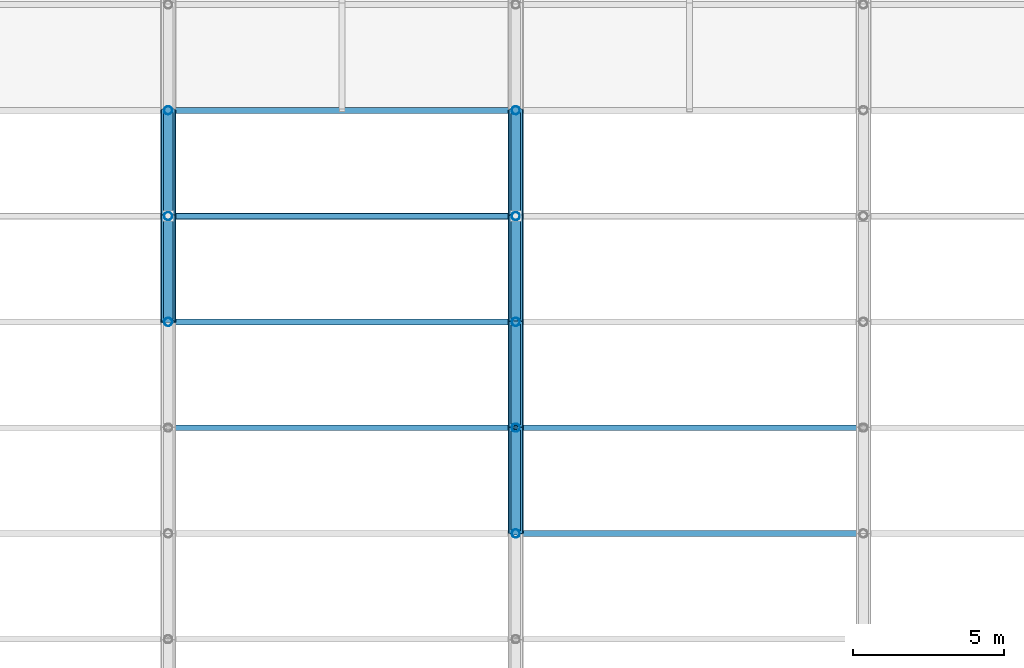
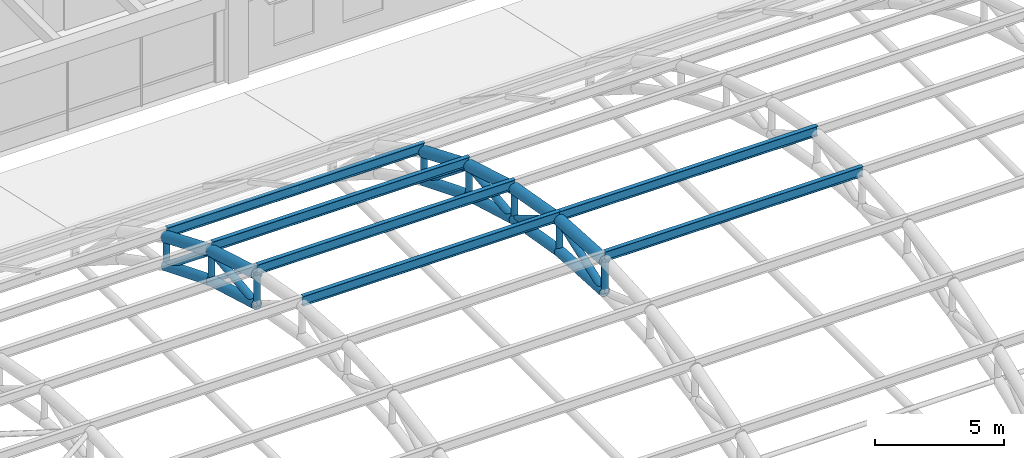
# One storey, part 24 of 154: 33 members.
"""IFC4 building model written with IfcOpenShell, lengths in metres."""

from ifc_helpers import new_model, si_unit, direction, frame, origin, origin_2d, place, context, subcontext, project, spatial, hollow_circle, i_section, extrude, material, material_profile, profile_set, type_object, element, save


model = new_model("IFC4")

# Units and contexts
model_context = context("Model", 3, precision=1e-05, world=origin(), true_north=direction((0.0, 1.0)))
body_context = subcontext(model_context, "Body", "Model", "MODEL_VIEW")
ifc_project = project(units=[si_unit("LENGTHUNIT", "METRE"), si_unit("AREAUNIT", "SQUARE_METRE"), si_unit("VOLUMEUNIT", "CUBIC_METRE"), si_unit("PLANEANGLEUNIT", "RADIAN"), si_unit("MASSUNIT", "GRAM", prefix="KILO")], contexts=[model_context])

# Site, building, storey
site_placement = place(None, origin())
site = spatial("IfcSite", under=ifc_project, at=site_placement, CompositionType="ELEMENT")
building_placement = place(site_placement, origin())
building = spatial("IfcBuilding", under=site, at=building_placement, Name="Ologun Quay Terminus", CompositionType="ELEMENT")
storey_placement = place(building_placement, frame((0.0, 0.0, 13.800048828125)))
storey = spatial("IfcBuildingStorey", under=building, at=storey_placement, Name="L03", CompositionType="ELEMENT", Elevation=13.800048828125)

# Members
ifc_material_1 = material(Name="Steel S355", Category="steel")
ifc_material_profile_1 = material_profile(ifc_material_1, hollow_circle(Radius=0.136474609375, WallThickness=0.010009765625, at=origin_2d()), Name="CHS 273x10")
ifc_profile_set_1 = profile_set([ifc_material_profile_1], Name="Steel S355")
member_type_1 = type_object("IfcMemberType", Name="Arch Truss Vertical Post CHS273", PredefinedType="STRUT", material=ifc_profile_set_1)
member_1_placement = place(storey_placement, frame((34.5, 64.0, 6.435546875), z_axis=(0.0, 0.0, 1.0), x_axis=(1.0, 0.0, 0.0)))
element("IfcMember", 1, at=member_1_placement, inside=storey, type_object=member_type_1, Name="AW2 Arch Web Post 4-N8", PredefinedType="STRUT", context=body_context, shape_type="SweptSolid", body=[
    extrude(hollow_circle(Radius=0.136474609375, WallThickness=0.010009765625, at=origin_2d()), origin(), (0.0, 0.0, 1.0), 1.44873046875),
])
member_2_placement = place(storey_placement, frame((34.5, 67.5, 5.429931640625), z_axis=(0.0, 0.0, 1.0), x_axis=(1.0, 0.0, 0.0)))
element("IfcMember", 2, at=member_2_placement, inside=storey, type_object=member_type_1, Name="AW2 Arch Web Post 4-N9", PredefinedType="STRUT", context=body_context, shape_type="SweptSolid", body=[
    extrude(hollow_circle(Radius=0.136474609375, WallThickness=0.010009765625, at=origin_2d()), origin(), (0.0, 0.0, 1.0), 1.409912109375),
])
member_3_placement = place(storey_placement, frame((34.5, 71.0, 4.022216796875), z_axis=(0.0, 0.0, 1.0), x_axis=(1.0, 0.0, 0.0)))
element("IfcMember", 3, at=member_3_placement, inside=storey, type_object=member_type_1, Name="AW2 Arch Web Post 4-N10", PredefinedType="STRUT", context=body_context, shape_type="SweptSolid", body=[
    extrude(hollow_circle(Radius=0.136474609375, WallThickness=0.010009765625, at=origin_2d()), origin(), (0.0, 0.0, 1.0), 1.35546875),
])
member_4_placement = place(storey_placement, frame((46.0, 57.0, 7.239990234375), z_axis=(0.0, 0.0, 1.0), x_axis=(1.0, 0.0, 0.0)))
element("IfcMember", 4, at=member_4_placement, inside=storey, type_object=member_type_1, Name="AW2 Arch Web Post 5-N6", PredefinedType="STRUT", context=body_context, shape_type="SweptSolid", body=[
    extrude(hollow_circle(Radius=0.136474609375, WallThickness=0.010009765625, at=origin_2d()), origin(), (0.0, 0.0, 1.0), 1.47998046875),
])
member_5_placement = place(storey_placement, frame((46.0, 60.5, 7.038818359375), z_axis=(0.0, 0.0, 1.0), x_axis=(1.0, 0.0, 0.0)))
element("IfcMember", 5, at=member_5_placement, inside=storey, type_object=member_type_1, Name="AW2 Arch Web Post 5-N7", PredefinedType="STRUT", context=body_context, shape_type="SweptSolid", body=[
    extrude(hollow_circle(Radius=0.136474609375, WallThickness=0.010009765625, at=origin_2d()), origin(), (0.0, 0.0, 1.0), 1.47216796875),
])
member_6_placement = place(storey_placement, frame((46.0, 64.0, 6.435546875), z_axis=(0.0, 0.0, 1.0), x_axis=(1.0, 0.0, 0.0)))
element("IfcMember", 6, at=member_6_placement, inside=storey, type_object=member_type_1, Name="AW2 Arch Web Post 5-N8", PredefinedType="STRUT", context=body_context, shape_type="SweptSolid", body=[
    extrude(hollow_circle(Radius=0.136474609375, WallThickness=0.010009765625, at=origin_2d()), origin(), (0.0, 0.0, 1.0), 1.44873046875),
])
member_7_placement = place(storey_placement, frame((46.0, 67.5, 5.429931640625), z_axis=(0.0, 0.0, 1.0), x_axis=(1.0, 0.0, 0.0)))
element("IfcMember", 7, at=member_7_placement, inside=storey, type_object=member_type_1, Name="AW2 Arch Web Post 5-N9", PredefinedType="STRUT", context=body_context, shape_type="SweptSolid", body=[
    extrude(hollow_circle(Radius=0.136474609375, WallThickness=0.010009765625, at=origin_2d()), origin(), (0.0, 0.0, 1.0), 1.409912109375),
])
member_8_placement = place(storey_placement, frame((46.0, 71.0, 4.022216796875), z_axis=(0.0, 0.0, 1.0), x_axis=(1.0, 0.0, 0.0)))
element("IfcMember", 8, at=member_8_placement, inside=storey, type_object=member_type_1, Name="AW2 Arch Web Post 5-N10", PredefinedType="STRUT", context=body_context, shape_type="SweptSolid", body=[
    extrude(hollow_circle(Radius=0.136474609375, WallThickness=0.010009765625, at=origin_2d()), origin(), (0.0, 0.0, 1.0), 1.35546875),
])
ifc_material_2 = material(Name="Steel S355", Category="steel")
ifc_material_profile_2 = material_profile(ifc_material_2, hollow_circle(Radius=0.161865234375, WallThickness=0.010009765625, at=origin_2d()), Name="CHS 323.9x10")
ifc_profile_set_2 = profile_set([ifc_material_profile_2], Name="Steel S355")
member_type_2 = type_object("IfcMemberType", Name="Arch Truss Web Diagonal CHS323", PredefinedType="BRACE", material=ifc_profile_set_2)
member_9_placement = place(storey_placement, frame((34.5, 64.0, 6.435546875), z_axis=(0.0, 0.993394361, 0.114750353084), x_axis=(-1.0, 0.0, 0.0)))
element("IfcMember", 9, at=member_9_placement, inside=storey, type_object=member_type_2, Name="AW1 Arch Web Diagonal 4-P9", PredefinedType="BRACE", context=body_context, shape_type="SweptSolid", body=[
    extrude(hollow_circle(Radius=0.161865234375, WallThickness=0.010009765625, at=origin_2d()), origin(), (0.0, 0.0, 1.0), 3.523193359375),
])
member_10_placement = place(storey_placement, frame((34.5, 67.5, 6.83984375), z_axis=(0.0, 0.77895148125, -0.627084196785), x_axis=(-1.0, 0.0, 0.0)))
element("IfcMember", 10, at=member_10_placement, inside=storey, type_object=member_type_2, Name="AW1 Arch Web Diagonal 4-P10", PredefinedType="BRACE", context=body_context, shape_type="SweptSolid", body=[
    extrude(hollow_circle(Radius=0.161865234375, WallThickness=0.010009765625, at=origin_2d()), origin(), (0.0, 0.0, 1.0), 4.4931640625),
])
member_11_placement = place(storey_placement, frame((46.0, 57.0, 7.239990234375), z_axis=(0.0, 0.939942650142, 0.34133241048), x_axis=(-1.0, 0.0, 0.0)))
element("IfcMember", 11, at=member_11_placement, inside=storey, type_object=member_type_2, Name="AW1 Arch Web Diagonal 5-P7", PredefinedType="BRACE", context=body_context, shape_type="SweptSolid", body=[
    extrude(hollow_circle(Radius=0.161865234375, WallThickness=0.010009765625, at=origin_2d()), origin(), (0.0, 0.0, 1.0), 3.7236328125),
])
member_12_placement = place(storey_placement, frame((46.0, 60.5, 8.510986328125), z_axis=(0.0, 0.860144332958, -0.510050709715), x_axis=(-1.0, 0.0, 0.0)))
element("IfcMember", 12, at=member_12_placement, inside=storey, type_object=member_type_2, Name="AW1 Arch Web Diagonal 5-P8", PredefinedType="BRACE", context=body_context, shape_type="SweptSolid", body=[
    extrude(hollow_circle(Radius=0.161865234375, WallThickness=0.010009765625, at=origin_2d()), origin(), (0.0, 0.0, 1.0), 4.069091796875),
])
member_13_placement = place(storey_placement, frame((46.0, 64.0, 6.435546875), z_axis=(0.0, 0.993394361, 0.114750353084), x_axis=(-1.0, 0.0, 0.0)))
element("IfcMember", 13, at=member_13_placement, inside=storey, type_object=member_type_2, Name="AW1 Arch Web Diagonal 5-P9", PredefinedType="BRACE", context=body_context, shape_type="SweptSolid", body=[
    extrude(hollow_circle(Radius=0.161865234375, WallThickness=0.010009765625, at=origin_2d()), origin(), (0.0, 0.0, 1.0), 3.523193359375),
])
member_14_placement = place(storey_placement, frame((46.0, 67.5, 6.83984375), z_axis=(0.0, 0.77895148125, -0.627084196785), x_axis=(-1.0, 0.0, 0.0)))
element("IfcMember", 14, at=member_14_placement, inside=storey, type_object=member_type_2, Name="AW1 Arch Web Diagonal 5-P10", PredefinedType="BRACE", context=body_context, shape_type="SweptSolid", body=[
    extrude(hollow_circle(Radius=0.161865234375, WallThickness=0.010009765625, at=origin_2d()), origin(), (0.0, 0.0, 1.0), 4.4931640625),
])
ifc_material_3 = material(Name="Steel S355", Category="steel")
ifc_material_profile_3 = material_profile(ifc_material_3, hollow_circle(Radius=0.228515625, WallThickness=0.01611328125, at=origin_2d()), Name="CHS 457x16")
ifc_profile_set_3 = profile_set([ifc_material_profile_3], Name="Steel S355")
member_type_3 = type_object("IfcMemberType", Name="Parabolic Arch Bottom Chord CHS457", PredefinedType="CHORD", material=ifc_profile_set_3)
member_15_placement = place(storey_placement, frame((34.5, 64.0, 6.435546875), z_axis=(0.0, 0.961115578425, -0.276146419331), x_axis=(-1.0, 0.0, 0.0)))
element("IfcMember", 15, at=member_15_placement, inside=storey, type_object=member_type_3, Name="AC2 Arch Bottom Chord 4-P9", PredefinedType="CHORD", context=body_context, shape_type="SweptSolid", body=[
    extrude(hollow_circle(Radius=0.228515625, WallThickness=0.01611328125, at=origin_2d()), origin(), (0.0, 0.0, 1.0), 3.6416015625),
])
member_16_placement = place(storey_placement, frame((34.5, 67.5, 5.429931640625), z_axis=(0.0, 0.92776983497, -0.373152962363), x_axis=(-1.0, 0.0, 0.0)))
element("IfcMember", 16, at=member_16_placement, inside=storey, type_object=member_type_3, Name="AC2 Arch Bottom Chord 4-P10", PredefinedType="CHORD", context=body_context, shape_type="SweptSolid", body=[
    extrude(hollow_circle(Radius=0.228515625, WallThickness=0.01611328125, at=origin_2d()), origin(), (0.0, 0.0, 1.0), 3.7724609375),
])
member_17_placement = place(storey_placement, frame((46.0, 57.0, 7.239990234375), z_axis=(0.0, 0.998352239869, -0.057382969144), x_axis=(-1.0, 0.0, 0.0)))
element("IfcMember", 17, at=member_17_placement, inside=storey, type_object=member_type_3, Name="AC2 Arch Bottom Chord 5-P7", PredefinedType="CHORD", context=body_context, shape_type="SweptSolid", body=[
    extrude(hollow_circle(Radius=0.228515625, WallThickness=0.01611328125, at=origin_2d()), origin(), (0.0, 0.0, 1.0), 3.505859375),
])
member_18_placement = place(storey_placement, frame((46.0, 60.5, 7.038818359375), z_axis=(0.0, 0.985468449185, -0.16985857547), x_axis=(-1.0, 0.0, 0.0)))
element("IfcMember", 18, at=member_18_placement, inside=storey, type_object=member_type_3, Name="AC2 Arch Bottom Chord 5-P8", PredefinedType="CHORD", context=body_context, shape_type="SweptSolid", body=[
    extrude(hollow_circle(Radius=0.228515625, WallThickness=0.01611328125, at=origin_2d()), origin(), (0.0, 0.0, 1.0), 3.551513671875),
])
member_19_placement = place(storey_placement, frame((46.0, 64.0, 6.435546875), z_axis=(0.0, 0.961115578425, -0.276146419331), x_axis=(-1.0, 0.0, 0.0)))
element("IfcMember", 19, at=member_19_placement, inside=storey, type_object=member_type_3, Name="AC2 Arch Bottom Chord 5-P9", PredefinedType="CHORD", context=body_context, shape_type="SweptSolid", body=[
    extrude(hollow_circle(Radius=0.228515625, WallThickness=0.01611328125, at=origin_2d()), origin(), (0.0, 0.0, 1.0), 3.6416015625),
])
member_20_placement = place(storey_placement, frame((46.0, 67.5, 5.429931640625), z_axis=(0.0, 0.92776983497, -0.373152962363), x_axis=(-1.0, 0.0, 0.0)))
element("IfcMember", 20, at=member_20_placement, inside=storey, type_object=member_type_3, Name="AC2 Arch Bottom Chord 5-P10", PredefinedType="CHORD", context=body_context, shape_type="SweptSolid", body=[
    extrude(hollow_circle(Radius=0.228515625, WallThickness=0.01611328125, at=origin_2d()), origin(), (0.0, 0.0, 1.0), 3.7724609375),
])
ifc_material_4 = material(Name="Steel S355", Category="steel")
ifc_material_profile_4 = material_profile(ifc_material_4, hollow_circle(Radius=0.25390625, WallThickness=0.01611328125, at=origin_2d()), Name="CHS 508x16")
ifc_profile_set_4 = profile_set([ifc_material_profile_4], Name="Steel S355")
member_type_4 = type_object("IfcMemberType", Name="Parabolic Arch Top Chord CHS508", PredefinedType="CHORD", material=ifc_profile_set_4)
member_21_placement = place(storey_placement, frame((34.5, 64.0, 7.88427734375), z_axis=(0.0, 0.958244712677, -0.285949419701), x_axis=(-1.0, 0.0, 0.0)))
element("IfcMember", 21, at=member_21_placement, inside=storey, type_object=member_type_4, Name="Arch Top Chord 4-P9", PredefinedType="CHORD", context=body_context, shape_type="SweptSolid", body=[
    extrude(hollow_circle(Radius=0.25390625, WallThickness=0.01611328125, at=origin_2d()), origin(), (0.0, 0.0, 1.0), 3.652587890625),
])
member_22_placement = place(storey_placement, frame((34.5, 67.5, 6.83984375), z_axis=(0.0, 0.922718523726, -0.385474416755), x_axis=(-1.0, 0.0, 0.0)))
element("IfcMember", 22, at=member_22_placement, inside=storey, type_object=member_type_4, Name="Arch Top Chord 4-P10", PredefinedType="CHORD", context=body_context, shape_type="SweptSolid", body=[
    extrude(hollow_circle(Radius=0.25390625, WallThickness=0.01611328125, at=origin_2d()), origin(), (0.0, 0.0, 1.0), 3.793212890625),
])
member_23_placement = place(storey_placement, frame((46.0, 57.0, 8.719970703125), z_axis=(0.0, 0.998222121157, -0.0596036646), x_axis=(-1.0, 0.0, 0.0)))
element("IfcMember", 23, at=member_23_placement, inside=storey, type_object=member_type_4, Name="Arch Top Chord 5-P7", PredefinedType="CHORD", context=body_context, shape_type="SweptSolid", body=[
    extrude(hollow_circle(Radius=0.25390625, WallThickness=0.01611328125, at=origin_2d()), origin(), (0.0, 0.0, 1.0), 3.50634765625),
])
member_24_placement = place(storey_placement, frame((46.0, 60.5, 8.510986328125), z_axis=(0.0, 0.984344289591, -0.176256402859), x_axis=(-1.0, 0.0, 0.0)))
element("IfcMember", 24, at=member_24_placement, inside=storey, type_object=member_type_4, Name="Arch Top Chord 5-P8", PredefinedType="CHORD", context=body_context, shape_type="SweptSolid", body=[
    extrude(hollow_circle(Radius=0.25390625, WallThickness=0.01611328125, at=origin_2d()), origin(), (0.0, 0.0, 1.0), 3.5556640625),
])
member_25_placement = place(storey_placement, frame((46.0, 64.0, 7.88427734375), z_axis=(0.0, 0.958244712677, -0.285949419701), x_axis=(-1.0, 0.0, 0.0)))
element("IfcMember", 25, at=member_25_placement, inside=storey, type_object=member_type_4, Name="Arch Top Chord 5-P9", PredefinedType="CHORD", context=body_context, shape_type="SweptSolid", body=[
    extrude(hollow_circle(Radius=0.25390625, WallThickness=0.01611328125, at=origin_2d()), origin(), (0.0, 0.0, 1.0), 3.652587890625),
])
member_26_placement = place(storey_placement, frame((46.0, 67.5, 6.83984375), z_axis=(0.0, 0.922718523726, -0.385474416755), x_axis=(-1.0, 0.0, 0.0)))
element("IfcMember", 26, at=member_26_placement, inside=storey, type_object=member_type_4, Name="Arch Top Chord 5-P10", PredefinedType="CHORD", context=body_context, shape_type="SweptSolid", body=[
    extrude(hollow_circle(Radius=0.25390625, WallThickness=0.01611328125, at=origin_2d()), origin(), (0.0, 0.0, 1.0), 3.793212890625),
])
ifc_material_5 = material(Name="Steel S355", Category="steel")
ifc_material_profile_5 = material_profile(ifc_material_5, hollow_circle(Radius=0.109619140625, WallThickness=0.008056640625, at=origin_2d()), Name="CHS 219.1x8")
ifc_profile_set_5 = profile_set([ifc_material_profile_5], Name="Steel S355")
member_type_5 = type_object("IfcMemberType", Name="Roof Plan Wind Brace Collector CHS219", PredefinedType="STRUT", material=ifc_profile_set_5)
member_27_placement = place(storey_placement, frame((34.5, 67.5, 5.429931640625), z_axis=(1.0, 0.0, 0.0), x_axis=(0.0, 1.0, 0.0)))
element("IfcMember", 27, at=member_27_placement, inside=storey, type_object=member_type_5, Name="WB2 Collector Strut B4-K9", PredefinedType="STRUT", context=body_context, shape_type="SweptSolid", body=[
    extrude(hollow_circle(Radius=0.109619140625, WallThickness=0.008056640625, at=origin_2d()), origin(), (0.0, 0.0, 1.0), 11.5),
])
ifc_material_6 = material(Name="Steel S355", Category="steel")
ifc_material_profile_6 = material_profile(ifc_material_6, i_section(OverallWidth=0.1904296875, OverallDepth=0.45703125, WebThickness=0.009033203125, FlangeThickness=0.014404296875, at=origin_2d()), Name="UKB 457x191x74")
ifc_profile_set_6 = profile_set([ifc_material_profile_6], Name="Steel S355")
member_type_6 = type_object("IfcMemberType", Name="Train Shed Primary Roof Purlin UKB457", PredefinedType="PURLIN", material=ifc_profile_set_6)
for number, where, z_axis, x_axis, name in (
    (28, (34.5, 60.5, 8.739501953125), (1.0, 0.0, 0.0), (0.0, 1.0, 0.0), "PR1 Roof Purlin B4-N7"),
    (29, (34.5, 64.0, 8.11279296875), (1.0, 0.0, 0.0), (0.0, 1.0, 0.0), "PR1 Roof Purlin B4-N8"),
    (30, (34.5, 67.5, 7.068359375), (1.0, 0.0, 0.0), (0.0, 1.0, 0.0), "PR1 Roof Purlin B4-N9"),
    (31, (34.5, 71.0, 5.606201171875), (1.0, 0.0, 0.0), (0.0, 1.0, 0.0), "PR1 Roof Purlin B4-N10"),
    (32, (46.0, 57.0, 8.948486328125), (1.0, 0.0, 0.0), (0.0, 1.0, 0.0), "PR1 Roof Purlin B5-N6"),
    (33, (46.0, 60.5, 8.739501953125), (1.0, 0.0, 0.0), (0.0, 1.0, 0.0), "PR1 Roof Purlin B5-N7"),
):
    element("IfcMember", number, at=place(storey_placement, frame(where, z_axis=z_axis, x_axis=x_axis)), inside=storey, type_object=member_type_6, Name=name, PredefinedType="PURLIN", context=body_context, shape_type="SweptSolid", body=[
        extrude(i_section(OverallWidth=0.1904296875, OverallDepth=0.45703125, WebThickness=0.009033203125, FlangeThickness=0.014404296875, at=origin_2d()), origin(), (0.0, 0.0, 1.0), 11.5),
    ])

save(model, "model.ifc")
